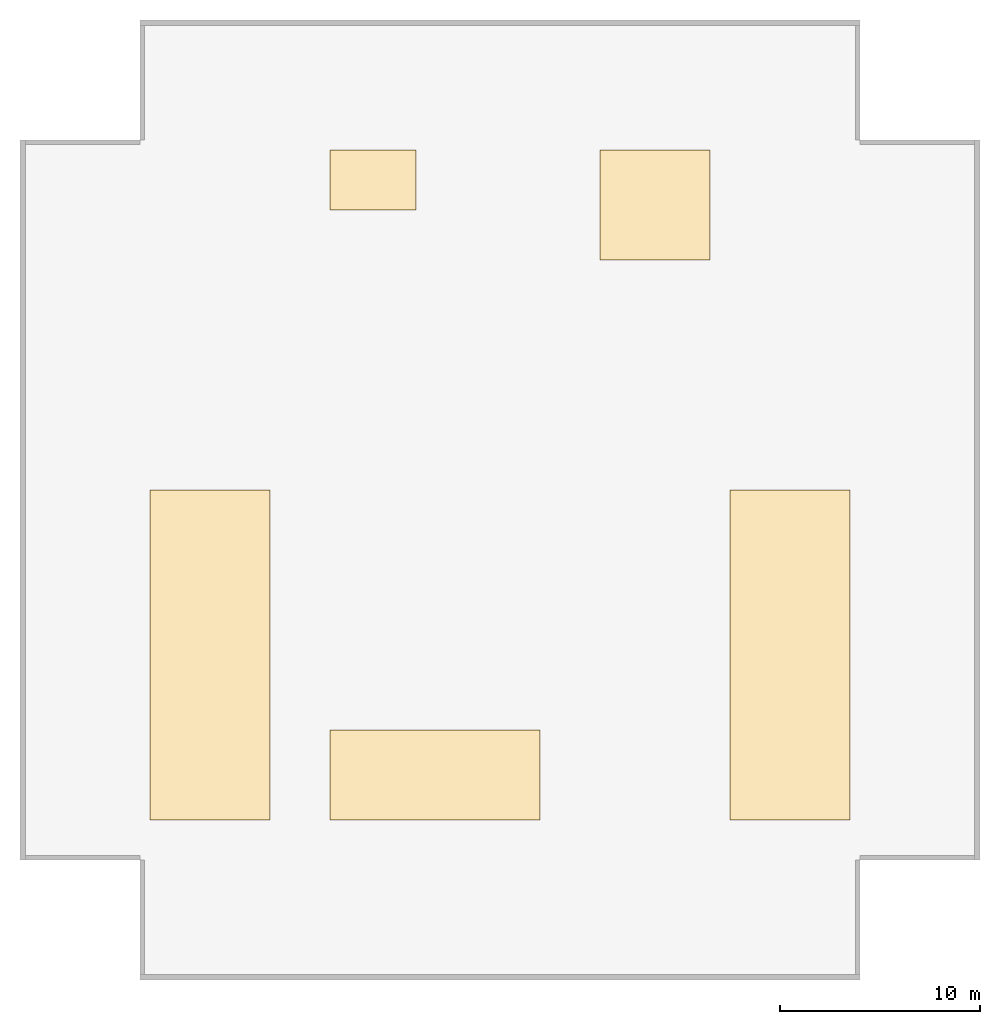
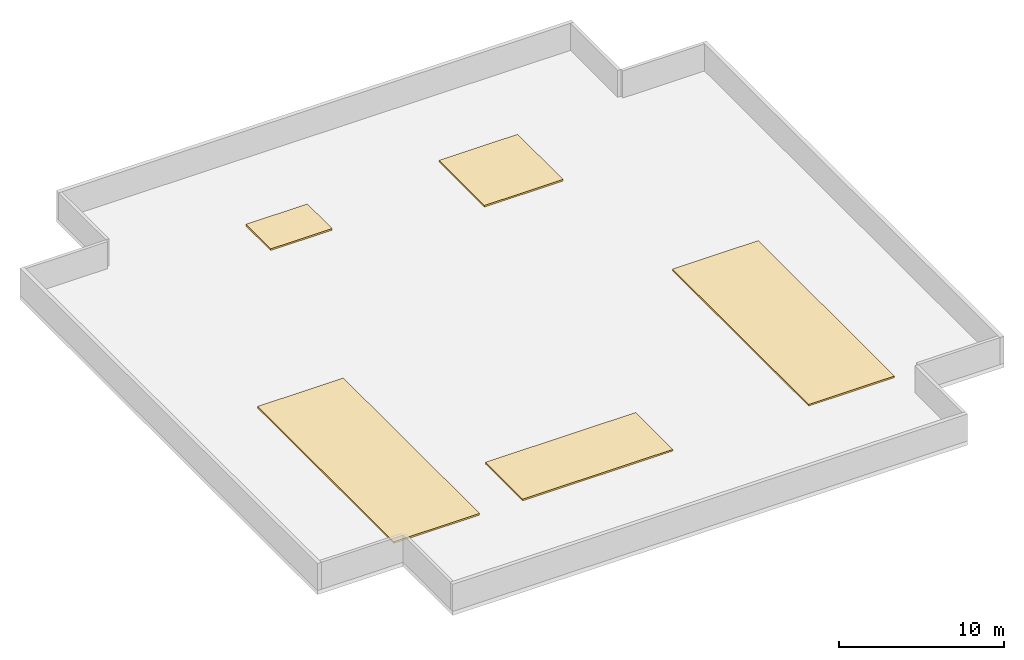
# One storey, part 2 of 2: 5 coverings.
"""IFC4 building model written with IfcOpenShell, lengths in metres."""

from ifc_helpers import new_model, si_unit, direction, frame, origin, place, context, subcontext, project, spatial, polyline, outline, extrude, material, layer, layer_set, type_object, element, save


model = new_model("IFC4")

# Units and contexts
model_context = context("Model", 3, precision=1e-05, world=origin(), true_north=direction((0.0, 1.0)))
body_context = subcontext(model_context, "Body", "Model", "MODEL_VIEW")
ifc_project = project(units=[si_unit("LENGTHUNIT", "METRE"), si_unit("AREAUNIT", "SQUARE_METRE"), si_unit("VOLUMEUNIT", "CUBIC_METRE"), si_unit("PLANEANGLEUNIT", "RADIAN"), si_unit("MASSUNIT", "GRAM", prefix="KILO")], contexts=[model_context])

# Site, building, storey
site_placement = place(None, origin())
site = spatial("IfcSite", under=ifc_project, at=site_placement, CompositionType="ELEMENT")
building_placement = place(site_placement, origin())
building = spatial("IfcBuilding", under=site, at=building_placement, Name="Khorayat Bourse Tower", CompositionType="ELEMENT")
storey_placement = place(building_placement, frame((0.0, 0.0, 404.300048828125)))
storey = spatial("IfcBuildingStorey", under=building, at=storey_placement, Name="ROOF", CompositionType="ELEMENT", Elevation=404.300048828125)

# Coverings
ifc_material = material(Name="Inverted EPDM and high-SRI roof assembly")
ifc_layer = layer(ifc_material, 0.179931640625)
ifc_layer_set = layer_set([ifc_layer], Name="Inverted EPDM and high-SRI roof assembly")
covering_type = type_object("IfcCoveringType", Name="COV-ROOF-MEMB", PredefinedType="ROOFING", material=ifc_layer_set)
covering_1_placement = place(storey_placement, origin())
element("IfcCovering", 1, at=covering_1_placement, inside=storey, type_object=covering_type, Name="ROOF Waterproofing Membrane 1", PredefinedType="ROOFING", context=body_context, shape_type="SweptSolid", body=[
    extrude(outline(polyline([(-17.5, -16.0), (-11.5, -16.0), (-11.5, 0.5), (-17.5, 0.5), (-17.5, -16.0)])), origin(), (0.0, 0.0, 1.0), 0.119873046875),
])
covering_2_placement = place(storey_placement, origin())
element("IfcCovering", 2, at=covering_2_placement, inside=storey, type_object=covering_type, Name="ROOF Waterproofing Membrane 2", PredefinedType="ROOFING", context=body_context, shape_type="SweptSolid", body=[
    extrude(outline(polyline([(11.5, -16.0), (17.5, -16.0), (17.5, 0.5), (11.5, 0.5), (11.5, -16.0)])), origin(), (0.0, 0.0, 1.0), 0.119873046875),
])
covering_3_placement = place(storey_placement, origin())
element("IfcCovering", 3, at=covering_3_placement, inside=storey, type_object=covering_type, Name="ROOF Waterproofing Membrane 3", PredefinedType="ROOFING", context=body_context, shape_type="SweptSolid", body=[
    extrude(outline(polyline([(-8.5, -16.0), (2.0, -16.0), (2.0, -11.5), (-8.5, -11.5), (-8.5, -16.0)])), origin(), (0.0, 0.0, 1.0), 0.119873046875),
])
covering_4_placement = place(storey_placement, origin())
element("IfcCovering", 4, at=covering_4_placement, inside=storey, type_object=covering_type, Name="ROOF Waterproofing Membrane 4", PredefinedType="ROOFING", context=body_context, shape_type="SweptSolid", body=[
    extrude(outline(polyline([(-8.5, 14.5), (-4.199951171875, 14.5), (-4.199951171875, 17.5), (-8.5, 17.5), (-8.5, 14.5)])), origin(), (0.0, 0.0, 1.0), 0.119873046875),
])
covering_5_placement = place(storey_placement, origin())
element("IfcCovering", 5, at=covering_5_placement, inside=storey, type_object=covering_type, Name="ROOF Waterproofing Membrane 5", PredefinedType="ROOFING", context=body_context, shape_type="SweptSolid", body=[
    extrude(outline(polyline([(5.0, 12.0), (10.5, 12.0), (10.5, 17.5), (5.0, 17.5), (5.0, 12.0)])), origin(), (0.0, 0.0, 1.0), 0.119873046875),
])

save(model, "model.ifc")
